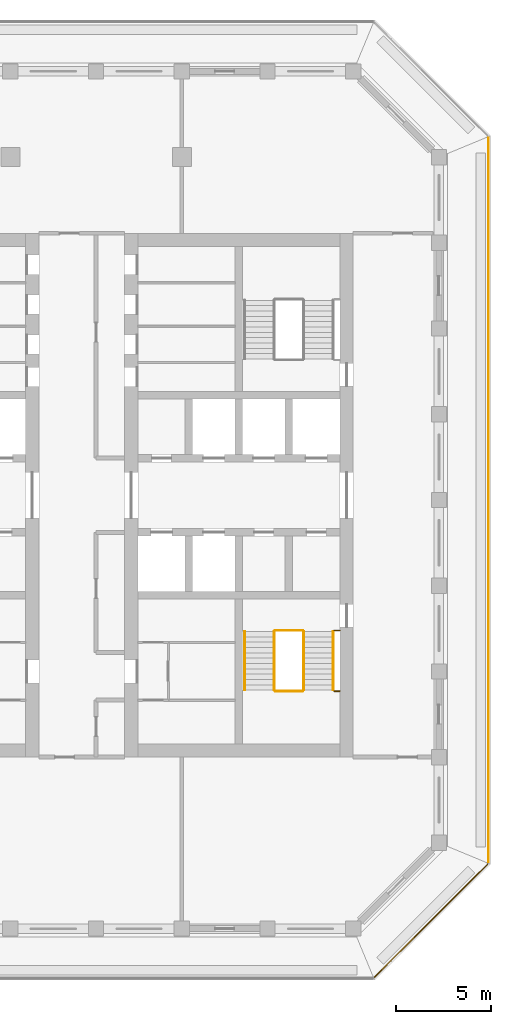
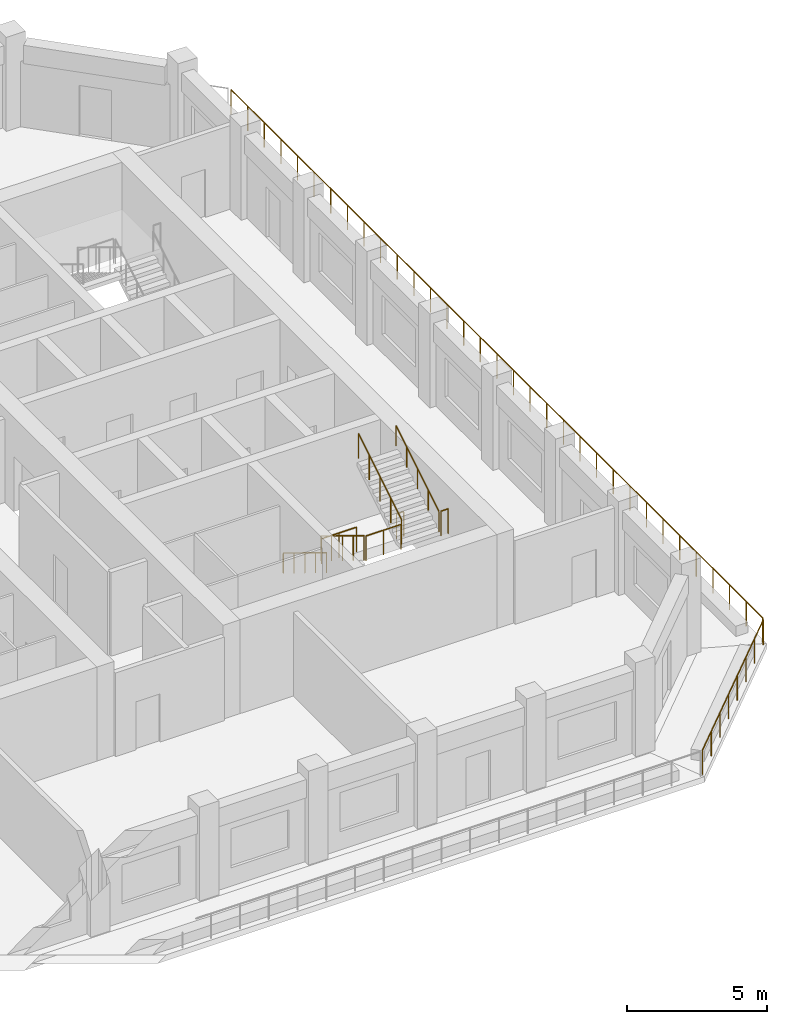
# One storey, part 10 of 14: 10 railings.
"""IFC4 building model written with IfcOpenShell, lengths in metres."""

from ifc_helpers import new_model, si_unit, direction, frame, origin, origin_2d, place, context, subcontext, project, spatial, circle, extrude, material, type_object, element, save


model = new_model("IFC4")

# Units and contexts
model_context = context("Model", 3, precision=1e-05, world=origin(), true_north=direction((0.0, 1.0)))
body_context = subcontext(model_context, "Body", "Model", "MODEL_VIEW")
ifc_project = project(units=[si_unit("LENGTHUNIT", "METRE"), si_unit("AREAUNIT", "SQUARE_METRE"), si_unit("VOLUMEUNIT", "CUBIC_METRE"), si_unit("PLANEANGLEUNIT", "RADIAN"), si_unit("MASSUNIT", "GRAM", prefix="KILO")], contexts=[model_context])

# Site, building, storey
site_placement = place(None, origin())
site = spatial("IfcSite", under=ifc_project, at=site_placement, CompositionType="ELEMENT")
building_placement = place(site_placement, origin())
building = spatial("IfcBuilding", under=site, at=building_placement, Name="Corbel Stack Research Tower", CompositionType="ELEMENT")
storey_placement = place(building_placement, frame((0.0, 0.0, 270.39990234375)))
storey = spatial("IfcBuildingStorey", under=building, at=storey_placement, Name="L61", CompositionType="ELEMENT", Elevation=270.39990234375)

# Railings
ifc_material_1 = material(Name="Steel S355", Category="steel")
railing_type_1 = type_object("IfcRailingType", Name="Stair guard 1100", PredefinedType="GUARDRAIL", material=ifc_material_1)
railing_1_placement = place(storey_placement, frame((13.85009765625, -2.39990234375, 0.1708984375)))
element("IfcRailing", 1, at=railing_1_placement, inside=storey, type_object=railing_type_1, Name="L61 ST-E1 stair guard 1", PredefinedType="GUARDRAIL", context=body_context, shape_type="SweptSolid", body=[
    extrude(circle(Radius=0.02392578125, at=origin_2d()), frame((0.0, 0.0, 1.076171875), z_axis=(0.0, -0.853666305674, 0.52082035152), x_axis=(1.0, 0.0, 0.0)), (0.0, 0.0, 1.0), 3.608154296875),
    extrude(circle(Radius=0.02099609375, at=origin_2d()), origin(), (0.0, 0.0, 1.0), 1.052001953125),
    extrude(circle(Radius=0.02099609375, at=origin_2d()), frame((0.0, -0.77001953125, 0.4697265625)), (0.0, 0.0, 1.0), 1.052001953125),
    extrude(circle(Radius=0.02099609375, at=origin_2d()), frame((0.0, -1.5400390625, 0.939453125)), (0.0, 0.0, 1.0), 1.052001953125),
    extrude(circle(Radius=0.02099609375, at=origin_2d()), frame((0.0, -2.31005859375, 1.409423828125)), (0.0, 0.0, 1.0), 1.052001953125),
    extrude(circle(Radius=0.02099609375, at=origin_2d()), frame((0.0, -3.080078125, 1.879150390625)), (0.0, 0.0, 1.0), 1.052001953125),
])
railing_2_placement = place(storey_placement, frame((13.89990234375, -5.530029296875, 2.050048828125)))
element("IfcRailing", 2, at=railing_2_placement, inside=storey, type_object=railing_type_1, Name="L61 ST-E1 stair guard 2", PredefinedType="GUARDRAIL", context=body_context, shape_type="SweptSolid", body=[
    extrude(circle(Radius=0.02392578125, at=origin_2d()), frame((0.0, 0.0, 1.076171875), z_axis=(1.0, 0.0, 0.0), x_axis=(0.0, 1.0, 0.0)), (0.0, 0.0, 1.0), 1.4501953125),
    extrude(circle(Radius=0.02099609375, at=origin_2d()), origin(), (0.0, 0.0, 1.0), 1.052001953125),
    extrude(circle(Radius=0.02099609375, at=origin_2d()), frame((0.72509765625, 0.0, 0.0)), (0.0, 0.0, 1.0), 1.052001953125),
    extrude(circle(Radius=0.02099609375, at=origin_2d()), frame((1.4501953125, 0.0, 0.0)), (0.0, 0.0, 1.0), 1.052001953125),
])
railing_3_placement = place(storey_placement, frame((17.0, -5.530029296875, 2.050048828125)))
element("IfcRailing", 3, at=railing_3_placement, inside=storey, type_object=railing_type_1, Name="L61 ST-E1 stair guard 3", PredefinedType="GUARDRAIL", context=body_context, shape_type="SweptSolid", body=[
    extrude(circle(Radius=0.02392578125, at=origin_2d()), frame((0.0, 0.0, 1.076171875), z_axis=(1.0, 0.0, 0.0), x_axis=(0.0, 1.0, 0.0)), (0.0, 0.0, 1.0), 0.300048828125),
    extrude(circle(Radius=0.02099609375, at=origin_2d()), origin(), (0.0, 0.0, 1.0), 1.052001953125),
    extrude(circle(Radius=0.02099609375, at=origin_2d()), frame((0.300048828125, 0.0, 0.0)), (0.0, 0.0, 1.0), 1.052001953125),
])
railing_4_placement = place(storey_placement, frame((15.39990234375, -5.47998046875, 2.220947265625)))
element("IfcRailing", 4, at=railing_4_placement, inside=storey, type_object=railing_type_1, Name="L61 ST-E1 stair guard 4", PredefinedType="GUARDRAIL", context=body_context, shape_type="SweptSolid", body=[
    extrude(circle(Radius=0.02392578125, at=origin_2d()), frame((0.0, 0.0, 1.076171875), z_axis=(0.0, 0.853666305674, 0.52082035152), x_axis=(-1.0, 0.0, 0.0)), (0.0, 0.0, 1.0), 3.608154296875),
    extrude(circle(Radius=0.02099609375, at=origin_2d()), origin(), (0.0, 0.0, 1.0), 1.052001953125),
    extrude(circle(Radius=0.02099609375, at=origin_2d()), frame((0.0, 0.77001953125, 0.4697265625)), (0.0, 0.0, 1.0), 1.052001953125),
    extrude(circle(Radius=0.02099609375, at=origin_2d()), frame((0.0, 1.5400390625, 0.939453125)), (0.0, 0.0, 1.0), 1.052001953125),
    extrude(circle(Radius=0.02099609375, at=origin_2d()), frame((0.0, 2.31005859375, 1.409423828125)), (0.0, 0.0, 1.0), 1.052001953125),
    extrude(circle(Radius=0.02099609375, at=origin_2d()), frame((0.0, 3.080078125, 1.879150390625)), (0.0, 0.0, 1.0), 1.052001953125),
])
railing_5_placement = place(storey_placement, frame((13.89990234375, -2.35009765625, 0.0)))
element("IfcRailing", 5, at=railing_5_placement, inside=storey, type_object=railing_type_1, Name="L61 ST-E1 stair guard 5", PredefinedType="GUARDRAIL", context=body_context, shape_type="SweptSolid", body=[
    extrude(circle(Radius=0.02392578125, at=origin_2d()), frame((0.0, 0.0, 1.076171875), z_axis=(1.0, 0.0, 0.0), x_axis=(0.0, 1.0, 0.0)), (0.0, 0.0, 1.0), 1.4501953125),
    extrude(circle(Radius=0.02099609375, at=origin_2d()), origin(), (0.0, 0.0, 1.0), 1.052001953125),
    extrude(circle(Radius=0.02099609375, at=origin_2d()), frame((0.72509765625, 0.0, 0.0)), (0.0, 0.0, 1.0), 1.052001953125),
    extrude(circle(Radius=0.02099609375, at=origin_2d()), frame((1.4501953125, 0.0, 0.0)), (0.0, 0.0, 1.0), 1.052001953125),
])
railing_6_placement = place(storey_placement, frame((17.0, -2.35009765625, 0.0)))
element("IfcRailing", 6, at=railing_6_placement, inside=storey, type_object=railing_type_1, Name="L61 ST-E1 stair guard 6", PredefinedType="GUARDRAIL", context=body_context, shape_type="SweptSolid", body=[
    extrude(circle(Radius=0.02392578125, at=origin_2d()), frame((0.0, 0.0, 1.076171875), z_axis=(1.0, 0.0, 0.0), x_axis=(0.0, 1.0, 0.0)), (0.0, 0.0, 1.0), 0.300048828125),
    extrude(circle(Radius=0.02099609375, at=origin_2d()), origin(), (0.0, 0.0, 1.0), 1.052001953125),
    extrude(circle(Radius=0.02099609375, at=origin_2d()), frame((0.300048828125, 0.0, 0.0)), (0.0, 0.0, 1.0), 1.052001953125),
])
ifc_material_2 = material(Name="Steel S355", Category="steel")
railing_type_2 = type_object("IfcRailingType", Name="Stair handrail 900", PredefinedType="HANDRAIL", material=ifc_material_2)
railing_7_placement = place(storey_placement, frame((12.300048828125, -2.39990234375, 0.1708984375)))
element("IfcRailing", 7, at=railing_7_placement, inside=storey, type_object=railing_type_2, Name="L61 ST-E1 stair handrail 1", PredefinedType="HANDRAIL", context=body_context, shape_type="SweptSolid", body=[
    extrude(circle(Radius=0.02392578125, at=origin_2d()), frame((0.0, 0.0, 0.8759765625), z_axis=(0.0, -0.853666305674, 0.52082035152), x_axis=(1.0, 0.0, 0.0)), (0.0, 0.0, 1.0), 3.608154296875),
    extrude(circle(Radius=0.02099609375, at=origin_2d()), origin(), (0.0, 0.0, 1.0), 0.851806640625),
    extrude(circle(Radius=0.02099609375, at=origin_2d()), frame((0.0, -0.77001953125, 0.4697265625)), (0.0, 0.0, 1.0), 0.851806640625),
    extrude(circle(Radius=0.02099609375, at=origin_2d()), frame((0.0, -1.5400390625, 0.939453125)), (0.0, 0.0, 1.0), 0.851806640625),
    extrude(circle(Radius=0.02099609375, at=origin_2d()), frame((0.0, -2.31005859375, 1.409423828125)), (0.0, 0.0, 1.0), 0.851806640625),
    extrude(circle(Radius=0.02099609375, at=origin_2d()), frame((0.0, -3.080078125, 1.879150390625)), (0.0, 0.0, 1.0), 0.851806640625),
])
railing_8_placement = place(storey_placement, frame((16.949951171875, -5.47998046875, 2.220947265625)))
element("IfcRailing", 8, at=railing_8_placement, inside=storey, type_object=railing_type_2, Name="L61 ST-E1 stair handrail 2", PredefinedType="HANDRAIL", context=body_context, shape_type="SweptSolid", body=[
    extrude(circle(Radius=0.02392578125, at=origin_2d()), frame((0.0, 0.0, 0.8759765625), z_axis=(0.0, 0.853666305674, 0.52082035152), x_axis=(-1.0, 0.0, 0.0)), (0.0, 0.0, 1.0), 3.608154296875),
    extrude(circle(Radius=0.02099609375, at=origin_2d()), origin(), (0.0, 0.0, 1.0), 0.851806640625),
    extrude(circle(Radius=0.02099609375, at=origin_2d()), frame((0.0, 0.77001953125, 0.4697265625)), (0.0, 0.0, 1.0), 0.851806640625),
    extrude(circle(Radius=0.02099609375, at=origin_2d()), frame((0.0, 1.5400390625, 0.939453125)), (0.0, 0.0, 1.0), 0.851806640625),
    extrude(circle(Radius=0.02099609375, at=origin_2d()), frame((0.0, 2.31005859375, 1.409423828125)), (0.0, 0.0, 1.0), 0.851806640625),
    extrude(circle(Radius=0.02099609375, at=origin_2d()), frame((0.0, 3.080078125, 1.879150390625)), (0.0, 0.0, 1.0), 0.851806640625),
])
ifc_material_3 = material(Name="Powder-coated steel guard", Category="steel")
railing_type_3 = type_object("IfcRailingType", Name="Steel and glass guard 1100", PredefinedType="GUARDRAIL", material=ifc_material_3)
railing_9_placement = place(storey_placement, frame((19.127685546875, -20.54931640625, 0.0)))
element("IfcRailing", 9, at=railing_9_placement, inside=storey, type_object=railing_type_3, Name="Loggia guard L61 SE", PredefinedType="GUARDRAIL", context=body_context, shape_type="SweptSolid", body=[
    extrude(circle(Radius=0.02392578125, at=origin_2d()), frame((0.0, 0.0, 1.076171875), z_axis=(0.707106781187, 0.707106781187, 0.0), x_axis=(-0.707106781187, 0.707106781187, 0.0)), (0.0, 0.0, 1.0), 8.37451171875),
    extrude(circle(Radius=0.02099609375, at=origin_2d()), origin(), (0.0, 0.0, 1.0), 1.052001953125),
    extrude(circle(Radius=0.02099609375, at=origin_2d()), frame((0.845947265625, 0.845947265625, 0.0)), (0.0, 0.0, 1.0), 1.052001953125),
    extrude(circle(Radius=0.02099609375, at=origin_2d()), frame((1.69189453125, 1.69189453125, 0.0)), (0.0, 0.0, 1.0), 1.052001953125),
    extrude(circle(Radius=0.02099609375, at=origin_2d()), frame((2.537841796875, 2.537841796875, 0.0)), (0.0, 0.0, 1.0), 1.052001953125),
    extrude(circle(Radius=0.02099609375, at=origin_2d()), frame((3.3837890625, 3.3837890625, 0.0)), (0.0, 0.0, 1.0), 1.052001953125),
    extrude(circle(Radius=0.02099609375, at=origin_2d()), frame((4.229736328125, 4.229736328125, 0.0)), (0.0, 0.0, 1.0), 1.052001953125),
    extrude(circle(Radius=0.02099609375, at=origin_2d()), frame((5.07568359375, 5.07568359375, 0.0)), (0.0, 0.0, 1.0), 1.052001953125),
    extrude(circle(Radius=0.02099609375, at=origin_2d()), frame((5.921630859375, 5.921630859375, 0.0)), (0.0, 0.0, 1.0), 1.052001953125),
])
railing_10_placement = place(storey_placement, frame((25.10009765625, -14.50537109375, 0.0)))
element("IfcRailing", 10, at=railing_10_placement, inside=storey, type_object=railing_type_3, Name="Loggia guard L61 E", PredefinedType="GUARDRAIL", context=body_context, shape_type="SweptSolid", body=[
    extrude(circle(Radius=0.02392578125, at=origin_2d()), frame((0.0, 0.0, 1.076171875), z_axis=(0.0, 1.0, 0.0), x_axis=(-1.0, 0.0, 0.0)), (0.0, 0.0, 1.0), 38.0107421875),
    extrude(circle(Radius=0.02099609375, at=origin_2d()), origin(), (0.0, 0.0, 1.0), 1.052001953125),
    extrude(circle(Radius=0.02099609375, at=origin_2d()), frame((0.0, 1.187744140625, 0.0)), (0.0, 0.0, 1.0), 1.052001953125),
    extrude(circle(Radius=0.02099609375, at=origin_2d()), frame((0.0, 2.375732421875, 0.0)), (0.0, 0.0, 1.0), 1.052001953125),
    extrude(circle(Radius=0.02099609375, at=origin_2d()), frame((0.0, 3.5634765625, 0.0)), (0.0, 0.0, 1.0), 1.052001953125),
    extrude(circle(Radius=0.02099609375, at=origin_2d()), frame((0.0, 4.75146484375, 0.0)), (0.0, 0.0, 1.0), 1.052001953125),
    extrude(circle(Radius=0.02099609375, at=origin_2d()), frame((0.0, 5.939208984375, 0.0)), (0.0, 0.0, 1.0), 1.052001953125),
    extrude(circle(Radius=0.02099609375, at=origin_2d()), frame((0.0, 7.126953125, 0.0)), (0.0, 0.0, 1.0), 1.052001953125),
    extrude(circle(Radius=0.02099609375, at=origin_2d()), frame((0.0, 8.31494140625, 0.0)), (0.0, 0.0, 1.0), 1.052001953125),
    extrude(circle(Radius=0.02099609375, at=origin_2d()), frame((0.0, 9.502685546875, 0.0)), (0.0, 0.0, 1.0), 1.052001953125),
    extrude(circle(Radius=0.02099609375, at=origin_2d()), frame((0.0, 10.6904296875, 0.0)), (0.0, 0.0, 1.0), 1.052001953125),
    extrude(circle(Radius=0.02099609375, at=origin_2d()), frame((0.0, 11.87841796875, 0.0)), (0.0, 0.0, 1.0), 1.052001953125),
    extrude(circle(Radius=0.02099609375, at=origin_2d()), frame((0.0, 13.066162109375, 0.0)), (0.0, 0.0, 1.0), 1.052001953125),
    extrude(circle(Radius=0.02099609375, at=origin_2d()), frame((0.0, 14.25390625, 0.0)), (0.0, 0.0, 1.0), 1.052001953125),
    extrude(circle(Radius=0.02099609375, at=origin_2d()), frame((0.0, 15.44189453125, 0.0)), (0.0, 0.0, 1.0), 1.052001953125),
    extrude(circle(Radius=0.02099609375, at=origin_2d()), frame((0.0, 16.629638671875, 0.0)), (0.0, 0.0, 1.0), 1.052001953125),
    extrude(circle(Radius=0.02099609375, at=origin_2d()), frame((0.0, 17.817626953125, 0.0)), (0.0, 0.0, 1.0), 1.052001953125),
    extrude(circle(Radius=0.02099609375, at=origin_2d()), frame((0.0, 19.00537109375, 0.0)), (0.0, 0.0, 1.0), 1.052001953125),
    extrude(circle(Radius=0.02099609375, at=origin_2d()), frame((0.0, 20.193115234375, 0.0)), (0.0, 0.0, 1.0), 1.052001953125),
    extrude(circle(Radius=0.02099609375, at=origin_2d()), frame((0.0, 21.381103515625, 0.0)), (0.0, 0.0, 1.0), 1.052001953125),
    extrude(circle(Radius=0.02099609375, at=origin_2d()), frame((0.0, 22.56884765625, 0.0)), (0.0, 0.0, 1.0), 1.052001953125),
    extrude(circle(Radius=0.02099609375, at=origin_2d()), frame((0.0, 23.7568359375, 0.0)), (0.0, 0.0, 1.0), 1.052001953125),
    extrude(circle(Radius=0.02099609375, at=origin_2d()), frame((0.0, 24.944580078125, 0.0)), (0.0, 0.0, 1.0), 1.052001953125),
    extrude(circle(Radius=0.02099609375, at=origin_2d()), frame((0.0, 26.13232421875, 0.0)), (0.0, 0.0, 1.0), 1.052001953125),
    extrude(circle(Radius=0.02099609375, at=origin_2d()), frame((0.0, 27.3203125, 0.0)), (0.0, 0.0, 1.0), 1.052001953125),
    extrude(circle(Radius=0.02099609375, at=origin_2d()), frame((0.0, 28.508056640625, 0.0)), (0.0, 0.0, 1.0), 1.052001953125),
    extrude(circle(Radius=0.02099609375, at=origin_2d()), frame((0.0, 29.69580078125, 0.0)), (0.0, 0.0, 1.0), 1.052001953125),
    extrude(circle(Radius=0.02099609375, at=origin_2d()), frame((0.0, 30.8837890625, 0.0)), (0.0, 0.0, 1.0), 1.052001953125),
    extrude(circle(Radius=0.02099609375, at=origin_2d()), frame((0.0, 32.071533203125, 0.0)), (0.0, 0.0, 1.0), 1.052001953125),
    extrude(circle(Radius=0.02099609375, at=origin_2d()), frame((0.0, 33.25927734375, 0.0)), (0.0, 0.0, 1.0), 1.052001953125),
    extrude(circle(Radius=0.02099609375, at=origin_2d()), frame((0.0, 34.447265625, 0.0)), (0.0, 0.0, 1.0), 1.052001953125),
    extrude(circle(Radius=0.02099609375, at=origin_2d()), frame((0.0, 35.635009765625, 0.0)), (0.0, 0.0, 1.0), 1.052001953125),
    extrude(circle(Radius=0.02099609375, at=origin_2d()), frame((0.0, 36.822998046875, 0.0)), (0.0, 0.0, 1.0), 1.052001953125),
    extrude(circle(Radius=0.02099609375, at=origin_2d()), frame((0.0, 38.0107421875, 0.0)), (0.0, 0.0, 1.0), 1.052001953125),
])

save(model, "model.ifc")
